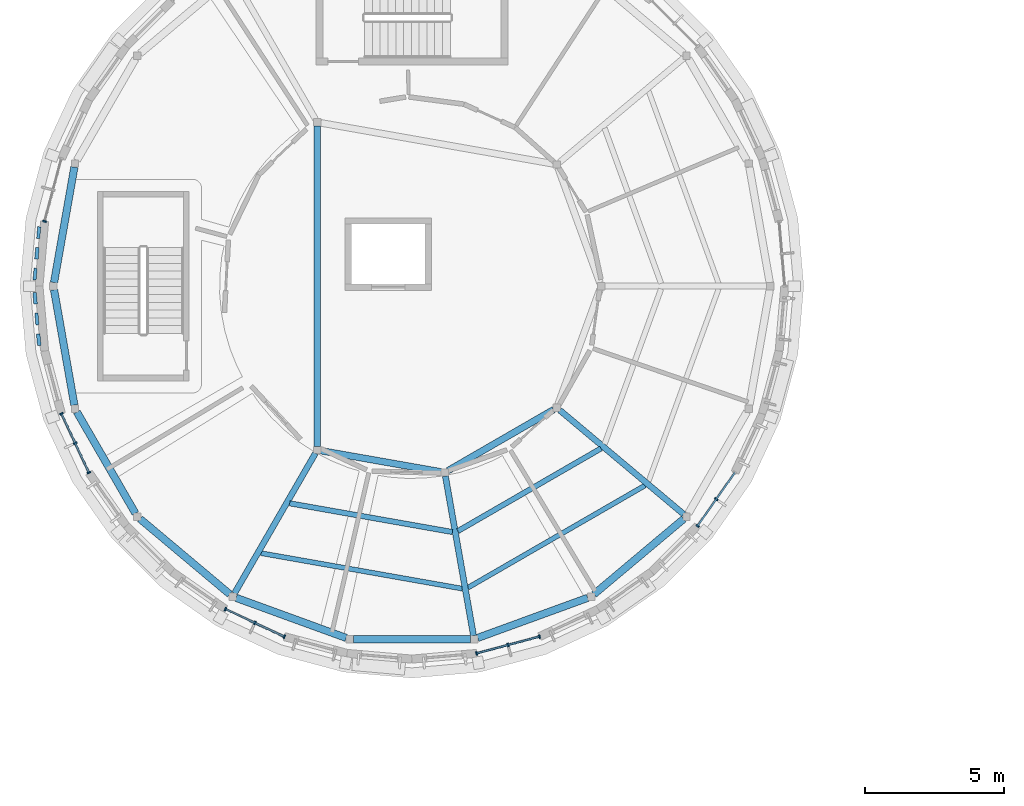
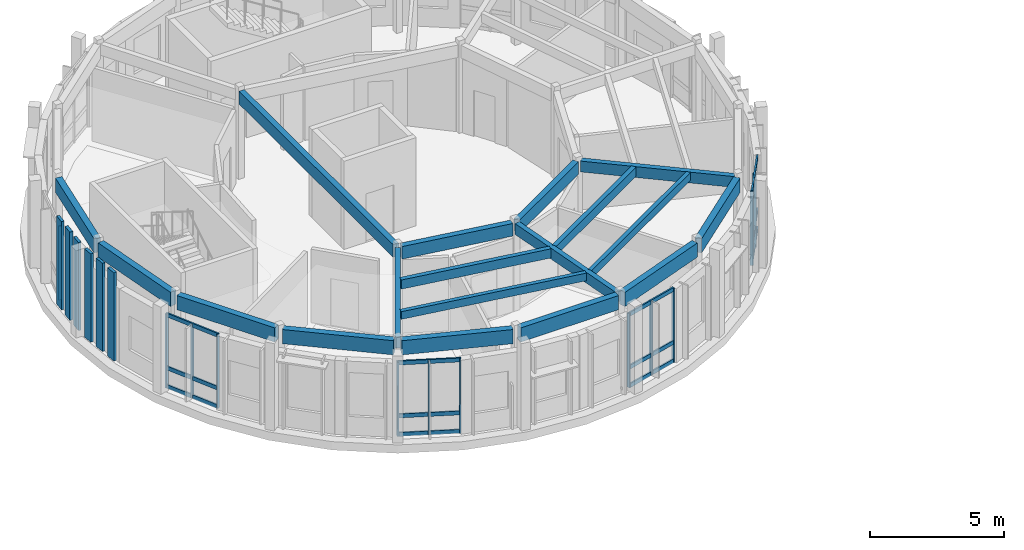
# One storey, part 5 of 30: 30 members, 18 beams, 5 elements without a shape of their own.
"""IFC4 building model written with IfcOpenShell, lengths in metres."""

from ifc_helpers import new_model, si_unit, direction, frame, origin, origin_2d, place, context, subcontext, project, spatial, rectangle, extrude, material, layer, layer_set, material_profile, profile_set, type_object, element, aggregate, save


model = new_model("IFC4")

# Units and contexts
model_context = context("Model", 3, precision=1e-05, world=origin(), true_north=direction((0.0, 1.0)))
body_context = subcontext(model_context, "Body", "Model", "MODEL_VIEW")
ifc_project = project(units=[si_unit("LENGTHUNIT", "METRE"), si_unit("AREAUNIT", "SQUARE_METRE"), si_unit("VOLUMEUNIT", "CUBIC_METRE"), si_unit("PLANEANGLEUNIT", "RADIAN"), si_unit("MASSUNIT", "GRAM", prefix="KILO")], contexts=[model_context])

# Site, building, storey
site_placement = place(None, origin())
site = spatial("IfcSite", under=ifc_project, at=site_placement, CompositionType="ELEMENT")
building_placement = place(site_placement, origin())
building = spatial("IfcBuilding", under=site, at=building_placement, Name="Aldenvaro Health Centre", CompositionType="ELEMENT")
storey_placement = place(building_placement, frame((0.0, 0.0, 17.14990234375)))
storey = spatial("IfcBuildingStorey", under=building, at=storey_placement, Name="L04", CompositionType="ELEMENT", Elevation=17.14990234375)

# Beams
ifc_material_1 = material(Name="Glulam GL28h", Category="wood")
ifc_material_profile_1 = material_profile(ifc_material_1, rectangle(XDim=0.175048828125, YDim=0.35009765625, at=origin_2d()), Name="GL 175x350", Category="wood")
ifc_profile_set_1 = profile_set([ifc_material_profile_1], Name="Glulam GL28h")
beam_type_1 = type_object("IfcBeamType", Name="BM-GL-350", PredefinedType="JOIST", material=ifc_profile_set_1)
beam_1_placement = place(storey_placement, frame((13.077880859375, 89.906982421875, 3.840087890625), z_axis=(0.984808635893, -0.173643170525, 0.0), x_axis=(0.173643170525, 0.984808635893, 0.0)))
element("IfcBeam", 1, at=beam_1_placement, inside=storey, type_object=beam_type_1, Name="D4 L04 secondary joist 04.2", PredefinedType="JOIST", context=body_context, shape_type="SweptSolid", body=[
    extrude(rectangle(XDim=0.175048828125, YDim=0.35009765625, at=origin_2d()), origin(), (0.0, 0.0, 1.0), 7.34765625),
])
beam_2_placement = place(storey_placement, frame((20.512939453125, 88.666015625, 3.840087890625), z_axis=(0.866036760986, 0.499980328234, 0.0), x_axis=(-0.499980328234, 0.866036760986, 0.0)))
element("IfcBeam", 2, at=beam_2_placement, inside=storey, type_object=beam_type_1, Name="D4 L04 secondary joist 05.2", PredefinedType="JOIST", context=body_context, shape_type="SweptSolid", body=[
    extrude(rectangle(XDim=0.175048828125, YDim=0.35009765625, at=origin_2d()), origin(), (0.0, 0.0, 1.0), 7.348388671875),
])
ifc_material_profile_2 = material_profile(ifc_material_1, rectangle(XDim=0.18994140625, YDim=0.41796875, at=origin_2d()), Name="GL 190x418", Category="wood")
ifc_profile_set_2 = profile_set([ifc_material_profile_2], Name="Glulam GL28h")
beam_type_2 = type_object("IfcBeamType", Name="BM-GL-418", PredefinedType="JOIST", material=ifc_profile_set_2)
beam_3_placement = place(storey_placement, frame((14.111083984375, 91.697021484375, 3.80615234375), z_axis=(0.98479184112, -0.173738394329, 0.0), x_axis=(0.173738394329, 0.98479184112, 0.0)))
element("IfcBeam", 3, at=beam_3_placement, inside=storey, type_object=beam_type_2, Name="D4 L04 secondary joist 04.1", PredefinedType="JOIST", context=body_context, shape_type="SweptSolid", body=[
    extrude(rectangle(XDim=0.18994140625, YDim=0.41796875, at=origin_2d()), origin(), (0.0, 0.0, 1.0), 5.934326171875),
])
beam_4_placement = place(storey_placement, frame((20.154052734375, 90.700927734375, 3.80615234375), z_axis=(0.866019093774, 0.5000109291, 0.0), x_axis=(-0.5000109291, 0.866019093774, 0.0)))
element("IfcBeam", 4, at=beam_4_placement, inside=storey, type_object=beam_type_2, Name="D4 L04 secondary joist 05.1", PredefinedType="JOIST", context=body_context, shape_type="SweptSolid", body=[
    extrude(rectangle(XDim=0.18994140625, YDim=0.41796875, at=origin_2d()), origin(), (0.0, 0.0, 1.0), 5.933837890625),
])
ifc_material_profile_3 = material_profile(ifc_material_1, rectangle(XDim=0.215087890625, YDim=0.493896484375, at=origin_2d()), Name="GL 215x494", Category="wood")
ifc_profile_set_3 = profile_set([ifc_material_profile_3], Name="Glulam GL28h")
beam_type_3 = type_object("IfcBeamType", Name="BM-GL-494", PredefinedType="BEAM", material=ifc_profile_set_3)
beam_5_placement = place(storey_placement, frame((15.033935546875, 93.49609375, 3.76806640625), z_axis=(-0.50011739498, -0.865957615151, 0.0), x_axis=(0.865957615151, -0.50011739498, 0.0)))
element("IfcBeam", 5, at=beam_5_placement, inside=storey, type_object=beam_type_3, Name="D4 L04 radial beam 04", PredefinedType="BEAM", context=body_context, shape_type="SweptSolid", body=[
    extrude(rectangle(XDim=0.215087890625, YDim=0.493896484375, at=origin_2d()), origin(), (0.0, 0.0, 1.0), 5.814453125),
])
beam_6_placement = place(storey_placement, frame((19.7041015625, 92.673095703125, 3.76806640625), z_axis=(0.173677561508, -0.984802571396, 0.0), x_axis=(0.984802571396, 0.173677561508, 0.0)))
element("IfcBeam", 6, at=beam_6_placement, inside=storey, type_object=beam_type_3, Name="D4 L04 radial beam 05", PredefinedType="BEAM", context=body_context, shape_type="SweptSolid", body=[
    extrude(rectangle(XDim=0.215087890625, YDim=0.493896484375, at=origin_2d()), origin(), (0.0, 0.0, 1.0), 5.8154296875),
])
beam_7_placement = place(storey_placement, frame((23.81103515625, 95.0439453125, 3.76806640625), z_axis=(0.765976099858, -0.642869049221, 0.0), x_axis=(0.642869049221, 0.765976099858, 0.0)))
element("IfcBeam", 7, at=beam_7_placement, inside=storey, type_object=beam_type_3, Name="D4 L04 radial beam 06", PredefinedType="BEAM", context=body_context, shape_type="SweptSolid", body=[
    extrude(rectangle(XDim=0.215087890625, YDim=0.493896484375, at=origin_2d()), origin(), (0.0, 0.0, 1.0), 5.814697265625),
])
ifc_material_profile_4 = material_profile(ifc_material_1, rectangle(XDim=0.239990234375, YDim=0.570068359375, at=origin_2d()), Name="GL 240x570", Category="wood")
ifc_profile_set_4 = profile_set([ifc_material_profile_4], Name="Glulam GL28h")
beam_type_4 = type_object("IfcBeamType", Name="BM-GL-570", PredefinedType="BEAM", material=ifc_profile_set_4)
beam_8_placement = place(storey_placement, frame((15.10009765625, 105.257080078125, 3.72998046875), z_axis=(0.0, -1.0, 0.0), x_axis=(1.0, 0.0, 0.0)))
element("IfcBeam", 8, at=beam_8_placement, inside=storey, type_object=beam_type_4, Name="D4 L04 inner ring beam 03", PredefinedType="BEAM", context=body_context, shape_type="SweptSolid", body=[
    extrude(rectangle(XDim=0.239990234375, YDim=0.570068359375, at=origin_2d()), origin(), (0.0, 0.0, 1.0), 11.51416015625),
])
beam_9_placement = place(storey_placement, frame((15.22998046875, 93.587890625, 3.72998046875), z_axis=(0.984805956766, -0.173658364375, 0.0), x_axis=(0.173658364375, 0.984805956766, 0.0)))
element("IfcBeam", 9, at=beam_9_placement, inside=storey, type_object=beam_type_4, Name="D4 L04 inner ring beam 04", PredefinedType="BEAM", context=body_context, shape_type="SweptSolid", body=[
    extrude(rectangle(XDim=0.239990234375, YDim=0.570068359375, at=origin_2d()), origin(), (0.0, 0.0, 1.0), 4.3876953125),
])
beam_10_placement = place(storey_placement, frame((19.7958984375, 92.868896484375, 3.72998046875), z_axis=(0.865900968659, 0.50021546605, 0.0), x_axis=(-0.50021546605, 0.865900968659, 0.0)))
element("IfcBeam", 10, at=beam_10_placement, inside=storey, type_object=beam_type_4, Name="D4 L04 inner ring beam 05", PredefinedType="BEAM", context=body_context, shape_type="SweptSolid", body=[
    extrude(rectangle(XDim=0.239990234375, YDim=0.570068359375, at=origin_2d()), origin(), (0.0, 0.0, 1.0), 4.38623046875),
])
ifc_material_profile_5 = material_profile(ifc_material_1, rectangle(XDim=0.264892578125, YDim=0.64599609375, at=origin_2d()), Name="GL 265x646", Category="wood")
ifc_profile_set_5 = profile_set([ifc_material_profile_5], Name="Glulam GL28h")
beam_type_5 = type_object("IfcBeamType", Name="BM-GL-646", PredefinedType="SPANDREL", material=ifc_profile_set_5)
for number, where, z_axis, x_axis, name in (
    (11, (6.3740234375, 103.77490234375, 3.692138671875), (-0.173666208797, -0.984804573467, 0.0), (0.984804573467, -0.173666208797, 0.0), "D4 L04 perimeter spandrel 09"),
    (12, (5.64306640625, 99.3701171875, 3.692138671875), (0.173666208797, -0.984804573467, 0.0), (0.984804573467, 0.173666208797, 0.0), "D4 L04 perimeter spandrel 10"),
):
    element("IfcBeam", number, at=place(storey_placement, frame(where, z_axis=z_axis, x_axis=x_axis)), inside=storey, type_object=beam_type_5, Name=name, PredefinedType="SPANDREL", context=body_context, shape_type="SweptSolid", body=[
        extrude(rectangle(XDim=0.264892578125, YDim=0.64599609375, at=origin_2d()), origin(), (0.0, 0.0, 1.0), 4.208984375),
    ])
for number, where, z_axis, x_axis, name in (
    (13, (6.462890625, 94.97998046875, 3.692138671875), (0.500020446946, -0.866013598413, 0.0), (0.866013598413, 0.500020446946, 0.0), "D4 L04 perimeter spandrel 11"),
    (14, (8.735107421875, 91.135986328125, 3.692138671875), (0.765957416677, -0.642891309505, 0.0), (0.642891309505, 0.765957416677, 0.0), "D4 L04 perimeter spandrel 12"),
):
    element("IfcBeam", number, at=place(storey_placement, frame(where, z_axis=z_axis, x_axis=x_axis)), inside=storey, type_object=beam_type_5, Name=name, PredefinedType="SPANDREL", context=body_context, shape_type="SweptSolid", body=[
        extrude(rectangle(XDim=0.264892578125, YDim=0.64599609375, at=origin_2d()), origin(), (0.0, 0.0, 1.0), 4.207763671875),
    ])
beam_11_placement = place(storey_placement, frame((12.18505859375, 88.301025390625, 3.692138671875), z_axis=(0.939600114943, -0.342274194178, 0.0), x_axis=(0.342274194178, 0.939600114943, 0.0)))
element("IfcBeam", 15, at=beam_11_placement, inside=storey, type_object=beam_type_5, Name="D4 L04 perimeter spandrel 13", PredefinedType="SPANDREL", context=body_context, shape_type="SweptSolid", body=[
    extrude(rectangle(XDim=0.264892578125, YDim=0.64599609375, at=origin_2d()), origin(), (0.0, 0.0, 1.0), 4.20703125),
])
beam_12_placement = place(storey_placement, frame((16.39599609375, 86.81591796875, 3.692138671875), z_axis=(1.0, 0.0, 0.0), x_axis=(0.0, 1.0, 0.0)))
element("IfcBeam", 16, at=beam_12_placement, inside=storey, type_object=beam_type_5, Name="D4 L04 perimeter spandrel 14", PredefinedType="SPANDREL", context=body_context, shape_type="SweptSolid", body=[
    extrude(rectangle(XDim=0.264892578125, YDim=0.64599609375, at=origin_2d()), origin(), (0.0, 0.0, 1.0), 4.2080078125),
])
beam_13_placement = place(storey_placement, frame((20.862060546875, 86.861083984375, 3.692138671875), z_axis=(0.939600114943, 0.342274194178, 0.0), x_axis=(-0.342274194178, 0.939600114943, 0.0)))
element("IfcBeam", 17, at=beam_13_placement, inside=storey, type_object=beam_type_5, Name="D4 L04 perimeter spandrel 15", PredefinedType="SPANDREL", context=body_context, shape_type="SweptSolid", body=[
    extrude(rectangle(XDim=0.264892578125, YDim=0.64599609375, at=origin_2d()), origin(), (0.0, 0.0, 1.0), 4.20703125),
])
beam_14_placement = place(storey_placement, frame((25.0419921875, 88.430908203125, 3.692138671875), z_axis=(0.765957416677, 0.642891309505, 0.0), x_axis=(-0.642891309505, 0.765957416677, 0.0)))
element("IfcBeam", 18, at=beam_14_placement, inside=storey, type_object=beam_type_5, Name="D4 L04 perimeter spandrel 16", PredefinedType="SPANDREL", context=body_context, shape_type="SweptSolid", body=[
    extrude(rectangle(XDim=0.264892578125, YDim=0.64599609375, at=origin_2d()), origin(), (0.0, 0.0, 1.0), 4.207763671875),
])

# Curtain wall, members
ifc_material_2 = material(Name="Anodised Aluminium 6063-T6", Category="aluminium")
ifc_layer = layer(ifc_material_2, 0.22509765625, Name="Anodised Aluminium 6063-T6", Category="aluminium")
ifc_layer_set = layer_set([ifc_layer], Name="Anodised Aluminium 6063-T6")
curtain_wall_type = type_object("IfcCurtainWallType", Name="CW-TER-04", PredefinedType="NOTDEFINED", material=ifc_layer_set)
curtain_wall_1_placement = place(storey_placement, origin())
curtain_wall_1 = element("IfcCurtainWall", 19, at=curtain_wall_1_placement, inside=storey, type_object=curtain_wall_type, Name="D4 L04 curtain wall bay 04", PredefinedType="NOTDEFINED")
ifc_material_profile_6 = material_profile(ifc_material_2, rectangle(XDim=0.06005859375, YDim=0.135009765625, at=origin_2d()), Name="ALU 60x135", Category="aluminium")
ifc_profile_set_6 = profile_set([ifc_material_profile_6], Name="Anodised Aluminium 6063-T6")
member_type_1 = type_object("IfcMemberType", Name="CWM-150", PredefinedType="MULLION", material=ifc_profile_set_6)
member_1_placement = place(storey_placement, frame((29.43505859375, 91.843994140625, 0.0), z_axis=(0.0, 0.0, 1.0), x_axis=(-0.573720929857, -0.819050849853, 0.0)))
member_1 = element("IfcMember", 20, at=member_1_placement, type_object=member_type_1, Name="D4 L04 curtain wall bay 04 mullion 2", PredefinedType="MULLION", context=body_context, shape_type="SweptSolid", body=[
    extrude(rectangle(XDim=0.06005859375, YDim=0.135009765625, at=origin_2d()), origin(), (0.0, 0.0, 1.0), 3.369140625),
])
member_2_placement = place(storey_placement, frame((28.764892578125, 90.886962890625, 0.0), z_axis=(0.0, 0.0, 1.0), x_axis=(-0.573720929857, -0.819050849853, 0.0)))
member_2 = element("IfcMember", 21, at=member_2_placement, type_object=member_type_1, Name="D4 L04 curtain wall bay 04 mullion 3", PredefinedType="MULLION", context=body_context, shape_type="SweptSolid", body=[
    extrude(rectangle(XDim=0.06005859375, YDim=0.135009765625, at=origin_2d()), origin(), (0.0, 0.0, 1.0), 3.369140625),
])

curtain_wall_2_placement = place(storey_placement, origin())
curtain_wall_2 = element("IfcCurtainWall", 22, at=curtain_wall_2_placement, inside=storey, type_object=curtain_wall_type, Name="D4 L04 curtain wall bay 08", PredefinedType="NOTDEFINED")
member_3_placement = place(storey_placement, frame((23.0830078125, 86.907958984375, 0.0), z_axis=(0.0, 0.0, 1.0), x_axis=(-0.965978620089, -0.258621935517, 0.0)))
member_3 = element("IfcMember", 23, at=member_3_placement, type_object=member_type_1, Name="D4 L04 curtain wall bay 08 mullion 1", PredefinedType="MULLION", context=body_context, shape_type="SweptSolid", body=[
    extrude(rectangle(XDim=0.06005859375, YDim=0.135009765625, at=origin_2d()), origin(), (0.0, 0.0, 1.0), 3.369140625),
])
member_4_placement = place(storey_placement, frame((21.955078125, 86.60595703125, 0.0), z_axis=(0.0, 0.0, 1.0), x_axis=(-0.965978620089, -0.258621935517, 0.0)))
member_4 = element("IfcMember", 24, at=member_4_placement, type_object=member_type_1, Name="D4 L04 curtain wall bay 08 mullion 2", PredefinedType="MULLION", context=body_context, shape_type="SweptSolid", body=[
    extrude(rectangle(XDim=0.06005859375, YDim=0.135009765625, at=origin_2d()), origin(), (0.0, 0.0, 1.0), 3.369140625),
])
member_5_placement = place(storey_placement, frame((20.826904296875, 86.303955078125, 0.0), z_axis=(0.0, 0.0, 1.0), x_axis=(-0.965978620089, -0.258621935517, 0.0)))
member_5 = element("IfcMember", 25, at=member_5_placement, type_object=member_type_1, Name="D4 L04 curtain wall bay 08 mullion 3", PredefinedType="MULLION", context=body_context, shape_type="SweptSolid", body=[
    extrude(rectangle(XDim=0.06005859375, YDim=0.135009765625, at=origin_2d()), origin(), (0.0, 0.0, 1.0), 3.369140625),
])

curtain_wall_3_placement = place(storey_placement, origin())
curtain_wall_3 = element("IfcCurtainWall", 26, at=curtain_wall_3_placement, inside=storey, type_object=curtain_wall_type, Name="D4 L04 curtain wall bay 12", PredefinedType="NOTDEFINED")
member_6_placement = place(storey_placement, frame((13.9169921875, 86.907958984375, 0.0), z_axis=(0.0, 0.0, 1.0), x_axis=(-0.90633620484, 0.422557314215, 0.0)))
member_6 = element("IfcMember", 27, at=member_6_placement, type_object=member_type_1, Name="D4 L04 curtain wall bay 12 mullion 1", PredefinedType="MULLION", context=body_context, shape_type="SweptSolid", body=[
    extrude(rectangle(XDim=0.06005859375, YDim=0.135009765625, at=origin_2d()), origin(), (0.0, 0.0, 1.0), 3.369140625),
])
member_7_placement = place(storey_placement, frame((12.85791015625, 87.40087890625, 0.0), z_axis=(0.0, 0.0, 1.0), x_axis=(-0.90633620484, 0.422557314215, 0.0)))
member_7 = element("IfcMember", 28, at=member_7_placement, type_object=member_type_1, Name="D4 L04 curtain wall bay 12 mullion 2", PredefinedType="MULLION", context=body_context, shape_type="SweptSolid", body=[
    extrude(rectangle(XDim=0.06005859375, YDim=0.135009765625, at=origin_2d()), origin(), (0.0, 0.0, 1.0), 3.369140625),
])
member_8_placement = place(storey_placement, frame((11.800048828125, 87.89501953125, 0.0), z_axis=(0.0, 0.0, 1.0), x_axis=(-0.90633620484, 0.422557314215, 0.0)))
member_8 = element("IfcMember", 29, at=member_8_placement, type_object=member_type_1, Name="D4 L04 curtain wall bay 12 mullion 3", PredefinedType="MULLION", context=body_context, shape_type="SweptSolid", body=[
    extrude(rectangle(XDim=0.06005859375, YDim=0.135009765625, at=origin_2d()), origin(), (0.0, 0.0, 1.0), 3.369140625),
])

curtain_wall_4_placement = place(storey_placement, origin())
curtain_wall_4 = element("IfcCurtainWall", 30, at=curtain_wall_4_placement, inside=storey, type_object=curtain_wall_type, Name="D4 L04 curtain wall bay 16", PredefinedType="NOTDEFINED")
member_9_placement = place(storey_placement, frame((6.89501953125, 92.800048828125, 0.0), z_axis=(0.0, 0.0, 1.0), x_axis=(-0.422557314215, 0.90633620484, 0.0)))
member_9 = element("IfcMember", 31, at=member_9_placement, type_object=member_type_1, Name="D4 L04 curtain wall bay 16 mullion 1", PredefinedType="MULLION", context=body_context, shape_type="SweptSolid", body=[
    extrude(rectangle(XDim=0.06005859375, YDim=0.135009765625, at=origin_2d()), origin(), (0.0, 0.0, 1.0), 3.369140625),
])
member_10_placement = place(storey_placement, frame((6.402099609375, 93.85791015625, 0.0), z_axis=(0.0, 0.0, 1.0), x_axis=(-0.422557314215, 0.90633620484, 0.0)))
member_10 = element("IfcMember", 32, at=member_10_placement, type_object=member_type_1, Name="D4 L04 curtain wall bay 16 mullion 2", PredefinedType="MULLION", context=body_context, shape_type="SweptSolid", body=[
    extrude(rectangle(XDim=0.06005859375, YDim=0.135009765625, at=origin_2d()), origin(), (0.0, 0.0, 1.0), 3.369140625),
])
member_11_placement = place(storey_placement, frame((5.907958984375, 94.9169921875, 0.0), z_axis=(0.0, 0.0, 1.0), x_axis=(-0.422557314215, 0.90633620484, 0.0)))
member_11 = element("IfcMember", 33, at=member_11_placement, type_object=member_type_1, Name="D4 L04 curtain wall bay 16 mullion 3", PredefinedType="MULLION", context=body_context, shape_type="SweptSolid", body=[
    extrude(rectangle(XDim=0.06005859375, YDim=0.135009765625, at=origin_2d()), origin(), (0.0, 0.0, 1.0), 3.369140625),
])

# Curtain wall, member
curtain_wall_5_placement = place(storey_placement, origin())
curtain_wall_5 = element("IfcCurtainWall", 34, at=curtain_wall_5_placement, inside=storey, type_object=curtain_wall_type, Name="D4 L04 curtain wall bay 20", PredefinedType="NOTDEFINED")
member_12_placement = place(storey_placement, frame((5.303955078125, 101.826904296875, 0.0), z_axis=(0.0, 0.0, 1.0), x_axis=(0.258621935517, 0.965978620089, 0.0)))
member_12 = element("IfcMember", 35, at=member_12_placement, type_object=member_type_1, Name="D4 L04 curtain wall bay 20 mullion 1", PredefinedType="MULLION", context=body_context, shape_type="SweptSolid", body=[
    extrude(rectangle(XDim=0.06005859375, YDim=0.135009765625, at=origin_2d()), origin(), (0.0, 0.0, 1.0), 3.369140625),
])
aggregate(curtain_wall_5, [member_12])

# Member
ifc_material_profile_7 = material_profile(ifc_material_2, rectangle(XDim=0.06494140625, YDim=0.179931640625, at=origin_2d()), Name="ALU 65x180", Category="aluminium")
ifc_profile_set_7 = profile_set([ifc_material_profile_7], Name="Anodised Aluminium 6063-T6")
member_type_2 = type_object("IfcMemberType", Name="CWT-150", PredefinedType="USERDEFINED", material=ifc_profile_set_7)
member_13_placement = place(storey_placement, frame((30.10498046875, 92.800048828125, 0.06005859375), z_axis=(-0.573728883722, -0.819045278347, 0.0), x_axis=(0.819045278347, -0.573728883722, 0.0)))
member_13 = element("IfcMember", 36, at=member_13_placement, type_object=member_type_2, Name="D4 L04 curtain wall bay 04 transom 1", ObjectType="TRANSOM", PredefinedType="USERDEFINED", context=body_context, shape_type="SweptSolid", body=[
    extrude(rectangle(XDim=0.06494140625, YDim=0.179931640625, at=origin_2d()), origin(), (0.0, 0.0, 1.0), 2.335693359375),
])

member_14_placement = place(storey_placement, frame((30.10498046875, 92.800048828125, 0.900146484375), z_axis=(-0.573728883722, -0.819045278347, 0.0), x_axis=(0.819045278347, -0.573728883722, 0.0)))
member_14 = element("IfcMember", 37, at=member_14_placement, type_object=member_type_2, Name="D4 L04 curtain wall bay 04 transom 2", ObjectType="TRANSOM", PredefinedType="USERDEFINED", context=body_context, shape_type="SweptSolid", body=[
    extrude(rectangle(XDim=0.06494140625, YDim=0.179931640625, at=origin_2d()), origin(), (0.0, 0.0, 1.0), 2.335693359375),
])

member_15_placement = place(storey_placement, frame((30.10498046875, 92.800048828125, 3.30908203125), z_axis=(-0.573728883722, -0.819045278347, 0.0), x_axis=(0.819045278347, -0.573728883722, 0.0)))
member_15 = element("IfcMember", 38, at=member_15_placement, type_object=member_type_2, Name="D4 L04 curtain wall bay 04 transom 3", ObjectType="TRANSOM", PredefinedType="USERDEFINED", context=body_context, shape_type="SweptSolid", body=[
    extrude(rectangle(XDim=0.06494140625, YDim=0.179931640625, at=origin_2d()), origin(), (0.0, 0.0, 1.0), 2.335693359375),
])

aggregate(curtain_wall_1, [member_1, member_2, member_13, member_14, member_15])

member_16_placement = place(storey_placement, frame((23.0830078125, 86.907958984375, 0.06005859375), z_axis=(-0.965981166673, -0.258612423585, 0.0), x_axis=(0.258612423585, -0.965981166673, 0.0)))
member_16 = element("IfcMember", 39, at=member_16_placement, type_object=member_type_2, Name="D4 L04 curtain wall bay 08 transom 1", ObjectType="TRANSOM", PredefinedType="USERDEFINED", context=body_context, shape_type="SweptSolid", body=[
    extrude(rectangle(XDim=0.06494140625, YDim=0.179931640625, at=origin_2d()), origin(), (0.0, 0.0, 1.0), 2.33544921875),
])

member_17_placement = place(storey_placement, frame((23.0830078125, 86.907958984375, 0.900146484375), z_axis=(-0.965981166673, -0.258612423585, 0.0), x_axis=(0.258612423585, -0.965981166673, 0.0)))
member_17 = element("IfcMember", 40, at=member_17_placement, type_object=member_type_2, Name="D4 L04 curtain wall bay 08 transom 2", ObjectType="TRANSOM", PredefinedType="USERDEFINED", context=body_context, shape_type="SweptSolid", body=[
    extrude(rectangle(XDim=0.06494140625, YDim=0.179931640625, at=origin_2d()), origin(), (0.0, 0.0, 1.0), 2.33544921875),
])

member_18_placement = place(storey_placement, frame((23.0830078125, 86.907958984375, 3.30908203125), z_axis=(-0.965981166673, -0.258612423585, 0.0), x_axis=(0.258612423585, -0.965981166673, 0.0)))
member_18 = element("IfcMember", 41, at=member_18_placement, type_object=member_type_2, Name="D4 L04 curtain wall bay 08 transom 3", ObjectType="TRANSOM", PredefinedType="USERDEFINED", context=body_context, shape_type="SweptSolid", body=[
    extrude(rectangle(XDim=0.06494140625, YDim=0.179931640625, at=origin_2d()), origin(), (0.0, 0.0, 1.0), 2.33544921875),
])

aggregate(curtain_wall_2, [member_3, member_4, member_5, member_16, member_17, member_18])

member_19_placement = place(storey_placement, frame((13.9169921875, 86.907958984375, 0.06005859375), z_axis=(-0.906321946979, 0.422587894318, 0.0), x_axis=(-0.422587894318, -0.906321946979, 0.0)))
member_19 = element("IfcMember", 42, at=member_19_placement, type_object=member_type_2, Name="D4 L04 curtain wall bay 12 transom 1", ObjectType="TRANSOM", PredefinedType="USERDEFINED", context=body_context, shape_type="SweptSolid", body=[
    extrude(rectangle(XDim=0.06494140625, YDim=0.179931640625, at=origin_2d()), origin(), (0.0, 0.0, 1.0), 2.335693359375),
])

member_20_placement = place(storey_placement, frame((13.9169921875, 86.907958984375, 0.900146484375), z_axis=(-0.906321946979, 0.422587894318, 0.0), x_axis=(-0.422587894318, -0.906321946979, 0.0)))
member_20 = element("IfcMember", 43, at=member_20_placement, type_object=member_type_2, Name="D4 L04 curtain wall bay 12 transom 2", ObjectType="TRANSOM", PredefinedType="USERDEFINED", context=body_context, shape_type="SweptSolid", body=[
    extrude(rectangle(XDim=0.06494140625, YDim=0.179931640625, at=origin_2d()), origin(), (0.0, 0.0, 1.0), 2.335693359375),
])

member_21_placement = place(storey_placement, frame((13.9169921875, 86.907958984375, 3.30908203125), z_axis=(-0.906321946979, 0.422587894318, 0.0), x_axis=(-0.422587894318, -0.906321946979, 0.0)))
member_21 = element("IfcMember", 44, at=member_21_placement, type_object=member_type_2, Name="D4 L04 curtain wall bay 12 transom 3", ObjectType="TRANSOM", PredefinedType="USERDEFINED", context=body_context, shape_type="SweptSolid", body=[
    extrude(rectangle(XDim=0.06494140625, YDim=0.179931640625, at=origin_2d()), origin(), (0.0, 0.0, 1.0), 2.335693359375),
])

aggregate(curtain_wall_3, [member_6, member_7, member_8, member_19, member_20, member_21])

member_22_placement = place(storey_placement, frame((6.89501953125, 92.800048828125, 0.06005859375), z_axis=(-0.422587894318, 0.906321946979, 0.0), x_axis=(-0.906321946979, -0.422587894318, 0.0)))
member_22 = element("IfcMember", 45, at=member_22_placement, type_object=member_type_2, Name="D4 L04 curtain wall bay 16 transom 1", ObjectType="TRANSOM", PredefinedType="USERDEFINED", context=body_context, shape_type="SweptSolid", body=[
    extrude(rectangle(XDim=0.06494140625, YDim=0.179931640625, at=origin_2d()), origin(), (0.0, 0.0, 1.0), 2.335693359375),
])

member_23_placement = place(storey_placement, frame((6.89501953125, 92.800048828125, 0.900146484375), z_axis=(-0.422587894318, 0.906321946979, 0.0), x_axis=(-0.906321946979, -0.422587894318, 0.0)))
member_23 = element("IfcMember", 46, at=member_23_placement, type_object=member_type_2, Name="D4 L04 curtain wall bay 16 transom 2", ObjectType="TRANSOM", PredefinedType="USERDEFINED", context=body_context, shape_type="SweptSolid", body=[
    extrude(rectangle(XDim=0.06494140625, YDim=0.179931640625, at=origin_2d()), origin(), (0.0, 0.0, 1.0), 2.335693359375),
])

member_24_placement = place(storey_placement, frame((6.89501953125, 92.800048828125, 3.30908203125), z_axis=(-0.422587894318, 0.906321946979, 0.0), x_axis=(-0.906321946979, -0.422587894318, 0.0)))
member_24 = element("IfcMember", 47, at=member_24_placement, type_object=member_type_2, Name="D4 L04 curtain wall bay 16 transom 3", ObjectType="TRANSOM", PredefinedType="USERDEFINED", context=body_context, shape_type="SweptSolid", body=[
    extrude(rectangle(XDim=0.06494140625, YDim=0.179931640625, at=origin_2d()), origin(), (0.0, 0.0, 1.0), 2.335693359375),
])

aggregate(curtain_wall_4, [member_9, member_10, member_11, member_22, member_23, member_24])

# Members
ifc_material_profile_8 = material_profile(ifc_material_1, rectangle(XDim=0.114990234375, YDim=0.419921875, at=origin_2d()), Name="GL 115x420", Category="wood")
ifc_profile_set_8 = profile_set([ifc_material_profile_8], Name="Glulam GL28h")
member_type_3 = type_object("IfcMemberType", Name="MEM-SLT-420A", PredefinedType="POST", material=ifc_profile_set_8)
for number, where, z_axis, x_axis, name in (
    (48, (5.028076171875, 98.321044921875, 0.0), (0.0, 0.0, 1.0), (-0.996179299052, -0.087331575855, 0.0), "D4 L04 vertical timber slat 18.2"),
    (49, (4.9619140625, 99.93408203125, 0.0), (0.0, 0.0, 1.0), (-0.996179299052, 0.087331575855, 0.0), "D4 L04 vertical timber slat 19.1"),
    (50, (5.093017578125, 101.424072265625, 0.0), (0.0, 0.0, 1.0), (-0.996179299052, 0.087331575855, 0.0), "D4 L04 vertical timber slat 19.3"),
):
    element("IfcMember", number, at=place(storey_placement, frame(where, z_axis=z_axis, x_axis=x_axis)), inside=storey, type_object=member_type_3, Name=name, PredefinedType="POST", context=body_context, shape_type="SweptSolid", body=[
        extrude(rectangle(XDim=0.114990234375, YDim=0.419921875, at=origin_2d()), origin(), (0.0, 0.0, 1.0), 4.01513671875),
    ])
ifc_material_profile_9 = material_profile(ifc_material_1, rectangle(XDim=0.1298828125, YDim=0.419921875, at=origin_2d()), Name="GL 130x420", Category="wood")
ifc_profile_set_9 = profile_set([ifc_material_profile_9], Name="Glulam GL28h")
member_type_4 = type_object("IfcMemberType", Name="MEM-SLT-420B", PredefinedType="POST", material=ifc_profile_set_9)
for number, where, z_axis, x_axis, name in (
    (51, (5.093017578125, 97.575927734375, 0.0), (0.0, 0.0, 1.0), (-0.996179299052, -0.087331575855, 0.0), "D4 L04 vertical timber slat 18.1"),
    (52, (4.9619140625, 99.06591796875, 0.0), (0.0, 0.0, 1.0), (-0.996179299052, -0.087331575855, 0.0), "D4 L04 vertical timber slat 18.3"),
    (53, (5.028076171875, 100.678955078125, 0.0), (0.0, 0.0, 1.0), (-0.996179299052, 0.087331575855, 0.0), "D4 L04 vertical timber slat 19.2"),
):
    element("IfcMember", number, at=place(storey_placement, frame(where, z_axis=z_axis, x_axis=x_axis)), inside=storey, type_object=member_type_4, Name=name, PredefinedType="POST", context=body_context, shape_type="SweptSolid", body=[
        extrude(rectangle(XDim=0.1298828125, YDim=0.419921875, at=origin_2d()), origin(), (0.0, 0.0, 1.0), 4.01513671875),
    ])

save(model, "model.ifc")
